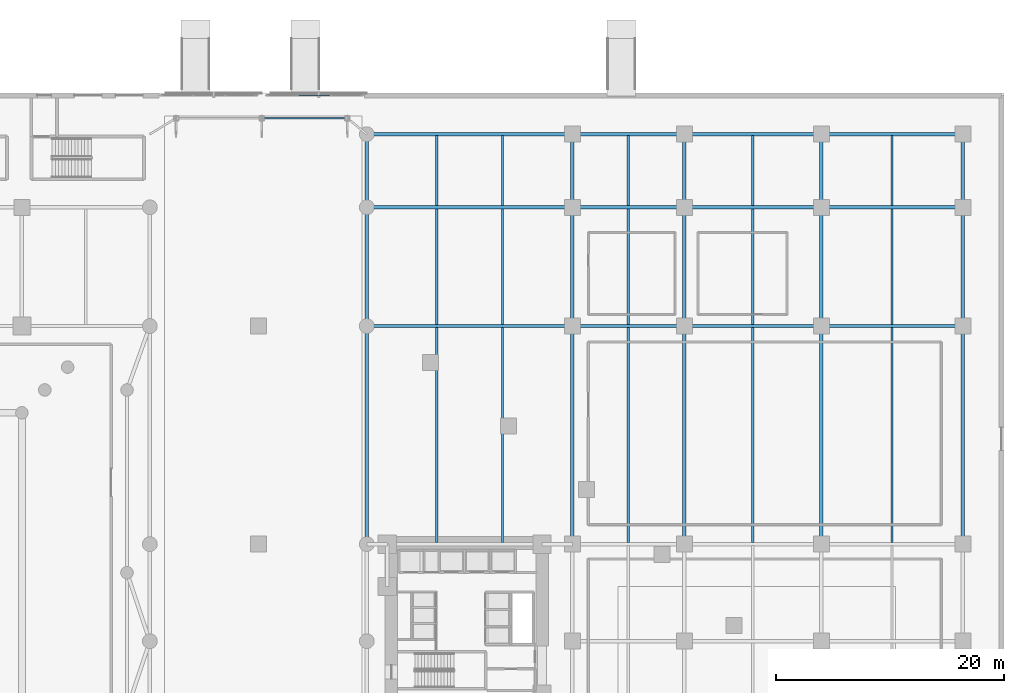
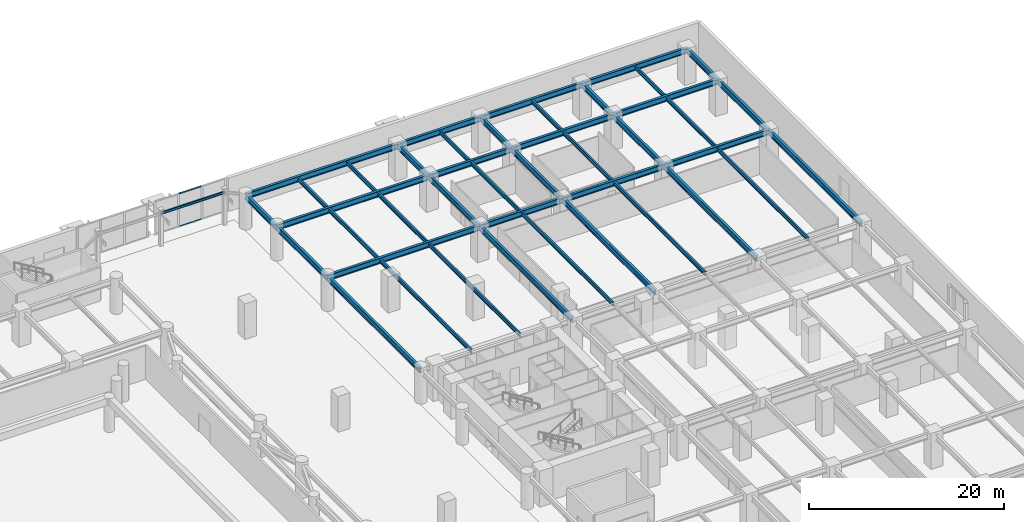
# One storey, part 18 of 42: 43 beams, 2 members, 1 element without a shape of its own.
"""IFC4 building model written with IfcOpenShell, lengths in metres."""

from ifc_helpers import new_model, si_unit, direction, frame, origin, origin_2d, place, context, subcontext, project, spatial, hollow_rectangle, i_section, extrude, material, material_profile, profile_set, type_object, element, aggregate, save


model = new_model("IFC4")

# Units and contexts
model_context = context("Model", 3, precision=1e-05, world=origin(), true_north=direction((0.0, 1.0)))
body_context = subcontext(model_context, "Body", "Model", "MODEL_VIEW")
ifc_project = project(units=[si_unit("LENGTHUNIT", "METRE"), si_unit("AREAUNIT", "SQUARE_METRE"), si_unit("VOLUMEUNIT", "CUBIC_METRE"), si_unit("PLANEANGLEUNIT", "RADIAN"), si_unit("MASSUNIT", "GRAM", prefix="KILO")], contexts=[model_context])

# Site, building, storey
site_placement = place(None, origin())
site = spatial("IfcSite", under=ifc_project, at=site_placement, CompositionType="ELEMENT")
building_placement = place(site_placement, origin())
building = spatial("IfcBuilding", under=site, at=building_placement, Name="Narakoshi Arena Tower", CompositionType="ELEMENT")
storey_placement = place(building_placement, origin())
storey = spatial("IfcBuildingStorey", under=building, at=storey_placement, Name="L00", CompositionType="ELEMENT", Elevation=0.0)

# Beams
ifc_material_1 = material(Name="Structural steel S355J2", Category="steel")
ifc_material_profile_1 = material_profile(ifc_material_1, i_section(OverallWidth=0.14990234375, OverallDepth=0.300048828125, WebThickness=0.007080078125, FlangeThickness=0.0107421875, FilletRadius=0.014892578125, at=origin_2d()), Name="IPE300")
ifc_profile_set_1 = profile_set([ifc_material_profile_1], Name="Structural steel S355J2")
beam_type_1 = type_object("IfcBeamType", Name="BM-CAN-300", PredefinedType="BEAM", material=ifc_profile_set_1)
beam_1_placement = place(storey_placement, frame((61.0, 93.800048828125, 4.030029296875), z_axis=(1.0, 0.0, 0.0), x_axis=(0.0, 1.0, 0.0)))
element("IfcBeam", 1, at=beam_1_placement, inside=storey, type_object=beam_type_1, Name="L00 Concourse Canopy Beam 07", PredefinedType="BEAM", context=body_context, shape_type="SweptSolid", body=[
    extrude(i_section(OverallWidth=0.14990234375, OverallDepth=0.300048828125, WebThickness=0.007080078125, FlangeThickness=0.0107421875, FilletRadius=0.014892578125, at=origin_2d()), origin(), (0.0, 0.0, 1.0), 7.5),
])
ifc_material_profile_2 = material_profile(ifc_material_1, i_section(OverallWidth=0.300048828125, OverallDepth=0.699951171875, WebThickness=0.01708984375, FlangeThickness=0.031982421875, FilletRadius=0.027099609375, at=origin_2d()), Name="HE700B")
ifc_profile_set_2 = profile_set([ifc_material_profile_2], Name="Structural steel S355J2")
beam_type_2 = type_object("IfcBeamType", Name="BM-PRI-700", PredefinedType="BEAM", material=ifc_profile_set_2)
beam_2_placement = place(storey_placement, frame((70.199951171875, 75.60009765625, 3.830078125), z_axis=(1.0, 0.0, 0.0), x_axis=(0.0, 1.0, 0.0)))
element("IfcBeam", 2, at=beam_2_placement, inside=storey, type_object=beam_type_2, Name="L00 Podium Primary X-Girder 039", PredefinedType="BEAM", context=body_context, shape_type="SweptSolid", body=[
    extrude(i_section(OverallWidth=0.300048828125, OverallDepth=0.699951171875, WebThickness=0.01708984375, FlangeThickness=0.031982421875, FilletRadius=0.027099609375, at=origin_2d()), origin(), (0.0, 0.0, 1.0), 18.0),
])
beam_3_placement = place(storey_placement, frame((88.199951171875, 75.60009765625, 3.830078125), z_axis=(1.0, 0.0, 0.0), x_axis=(0.0, 1.0, 0.0)))
element("IfcBeam", 3, at=beam_3_placement, inside=storey, type_object=beam_type_2, Name="L00 Podium Primary X-Girder 040", PredefinedType="BEAM", context=body_context, shape_type="SweptSolid", body=[
    extrude(i_section(OverallWidth=0.300048828125, OverallDepth=0.699951171875, WebThickness=0.01708984375, FlangeThickness=0.031982421875, FilletRadius=0.027099609375, at=origin_2d()), origin(), (0.0, 0.0, 1.0), 9.800048828125),
])
beam_4_placement = place(storey_placement, frame((98.0, 75.60009765625, 3.830078125), z_axis=(1.0, 0.0, 0.0), x_axis=(0.0, 1.0, 0.0)))
element("IfcBeam", 4, at=beam_4_placement, inside=storey, type_object=beam_type_2, Name="L00 Podium Primary X-Girder 041", PredefinedType="BEAM", context=body_context, shape_type="SweptSolid", body=[
    extrude(i_section(OverallWidth=0.300048828125, OverallDepth=0.699951171875, WebThickness=0.01708984375, FlangeThickness=0.031982421875, FilletRadius=0.027099609375, at=origin_2d()), origin(), (0.0, 0.0, 1.0), 12.0),
])
beam_5_placement = place(storey_placement, frame((110.0, 75.60009765625, 3.830078125), z_axis=(1.0, 0.0, 0.0), x_axis=(0.0, 1.0, 0.0)))
element("IfcBeam", 5, at=beam_5_placement, inside=storey, type_object=beam_type_2, Name="L00 Podium Primary X-Girder 042", PredefinedType="BEAM", context=body_context, shape_type="SweptSolid", body=[
    extrude(i_section(OverallWidth=0.300048828125, OverallDepth=0.699951171875, WebThickness=0.01708984375, FlangeThickness=0.031982421875, FilletRadius=0.027099609375, at=origin_2d()), origin(), (0.0, 0.0, 1.0), 12.39990234375),
])
beam_6_placement = place(storey_placement, frame((70.199951171875, 86.0, 3.830078125), z_axis=(1.0, 0.0, 0.0), x_axis=(0.0, 1.0, 0.0)))
element("IfcBeam", 6, at=beam_6_placement, inside=storey, type_object=beam_type_2, Name="L00 Podium Primary X-Girder 047", PredefinedType="BEAM", context=body_context, shape_type="SweptSolid", body=[
    extrude(i_section(OverallWidth=0.300048828125, OverallDepth=0.699951171875, WebThickness=0.01708984375, FlangeThickness=0.031982421875, FilletRadius=0.027099609375, at=origin_2d()), origin(), (0.0, 0.0, 1.0), 18.0),
])
beam_7_placement = place(storey_placement, frame((88.199951171875, 86.0, 3.830078125), z_axis=(1.0, 0.0, 0.0), x_axis=(0.0, 1.0, 0.0)))
element("IfcBeam", 7, at=beam_7_placement, inside=storey, type_object=beam_type_2, Name="L00 Podium Primary X-Girder 048", PredefinedType="BEAM", context=body_context, shape_type="SweptSolid", body=[
    extrude(i_section(OverallWidth=0.300048828125, OverallDepth=0.699951171875, WebThickness=0.01708984375, FlangeThickness=0.031982421875, FilletRadius=0.027099609375, at=origin_2d()), origin(), (0.0, 0.0, 1.0), 9.800048828125),
])
beam_8_placement = place(storey_placement, frame((98.0, 86.0, 3.830078125), z_axis=(1.0, 0.0, 0.0), x_axis=(0.0, 1.0, 0.0)))
element("IfcBeam", 8, at=beam_8_placement, inside=storey, type_object=beam_type_2, Name="L00 Podium Primary X-Girder 049", PredefinedType="BEAM", context=body_context, shape_type="SweptSolid", body=[
    extrude(i_section(OverallWidth=0.300048828125, OverallDepth=0.699951171875, WebThickness=0.01708984375, FlangeThickness=0.031982421875, FilletRadius=0.027099609375, at=origin_2d()), origin(), (0.0, 0.0, 1.0), 12.0),
])
beam_9_placement = place(storey_placement, frame((110.0, 86.0, 3.830078125), z_axis=(1.0, 0.0, 0.0), x_axis=(0.0, 1.0, 0.0)))
element("IfcBeam", 9, at=beam_9_placement, inside=storey, type_object=beam_type_2, Name="L00 Podium Primary X-Girder 050", PredefinedType="BEAM", context=body_context, shape_type="SweptSolid", body=[
    extrude(i_section(OverallWidth=0.300048828125, OverallDepth=0.699951171875, WebThickness=0.01708984375, FlangeThickness=0.031982421875, FilletRadius=0.027099609375, at=origin_2d()), origin(), (0.0, 0.0, 1.0), 12.39990234375),
])
beam_10_placement = place(storey_placement, frame((70.199951171875, 92.39990234375, 3.830078125), z_axis=(1.0, 0.0, 0.0), x_axis=(0.0, 1.0, 0.0)))
element("IfcBeam", 10, at=beam_10_placement, inside=storey, type_object=beam_type_2, Name="L00 Podium Primary X-Girder 051", PredefinedType="BEAM", context=body_context, shape_type="SweptSolid", body=[
    extrude(i_section(OverallWidth=0.300048828125, OverallDepth=0.699951171875, WebThickness=0.01708984375, FlangeThickness=0.031982421875, FilletRadius=0.027099609375, at=origin_2d()), origin(), (0.0, 0.0, 1.0), 18.0),
])
beam_11_placement = place(storey_placement, frame((88.199951171875, 92.39990234375, 3.830078125), z_axis=(1.0, 0.0, 0.0), x_axis=(0.0, 1.0, 0.0)))
element("IfcBeam", 11, at=beam_11_placement, inside=storey, type_object=beam_type_2, Name="L00 Podium Primary X-Girder 052", PredefinedType="BEAM", context=body_context, shape_type="SweptSolid", body=[
    extrude(i_section(OverallWidth=0.300048828125, OverallDepth=0.699951171875, WebThickness=0.01708984375, FlangeThickness=0.031982421875, FilletRadius=0.027099609375, at=origin_2d()), origin(), (0.0, 0.0, 1.0), 9.800048828125),
])
beam_12_placement = place(storey_placement, frame((98.0, 92.39990234375, 3.830078125), z_axis=(1.0, 0.0, 0.0), x_axis=(0.0, 1.0, 0.0)))
element("IfcBeam", 12, at=beam_12_placement, inside=storey, type_object=beam_type_2, Name="L00 Podium Primary X-Girder 053", PredefinedType="BEAM", context=body_context, shape_type="SweptSolid", body=[
    extrude(i_section(OverallWidth=0.300048828125, OverallDepth=0.699951171875, WebThickness=0.01708984375, FlangeThickness=0.031982421875, FilletRadius=0.027099609375, at=origin_2d()), origin(), (0.0, 0.0, 1.0), 12.0),
])
beam_13_placement = place(storey_placement, frame((110.0, 92.39990234375, 3.830078125), z_axis=(1.0, 0.0, 0.0), x_axis=(0.0, 1.0, 0.0)))
element("IfcBeam", 13, at=beam_13_placement, inside=storey, type_object=beam_type_2, Name="L00 Podium Primary X-Girder 054", PredefinedType="BEAM", context=body_context, shape_type="SweptSolid", body=[
    extrude(i_section(OverallWidth=0.300048828125, OverallDepth=0.699951171875, WebThickness=0.01708984375, FlangeThickness=0.031982421875, FilletRadius=0.027099609375, at=origin_2d()), origin(), (0.0, 0.0, 1.0), 12.39990234375),
])
beam_14_placement = place(storey_placement, frame((70.199951171875, 56.5, 3.830078125), z_axis=(0.0, 1.0, 0.0), x_axis=(-1.0, 0.0, 0.0)))
element("IfcBeam", 14, at=beam_14_placement, inside=storey, type_object=beam_type_2, Name="L00 Podium Primary Y-Girder 080", PredefinedType="BEAM", context=body_context, shape_type="SweptSolid", body=[
    extrude(i_section(OverallWidth=0.300048828125, OverallDepth=0.699951171875, WebThickness=0.01708984375, FlangeThickness=0.031982421875, FilletRadius=0.027099609375, at=origin_2d()), origin(), (0.0, 0.0, 1.0), 19.10009765625),
])
beam_15_placement = place(storey_placement, frame((70.199951171875, 75.60009765625, 3.830078125), z_axis=(0.0, 1.0, 0.0), x_axis=(-1.0, 0.0, 0.0)))
element("IfcBeam", 15, at=beam_15_placement, inside=storey, type_object=beam_type_2, Name="L00 Podium Primary Y-Girder 081", PredefinedType="BEAM", context=body_context, shape_type="SweptSolid", body=[
    extrude(i_section(OverallWidth=0.300048828125, OverallDepth=0.699951171875, WebThickness=0.01708984375, FlangeThickness=0.031982421875, FilletRadius=0.027099609375, at=origin_2d()), origin(), (0.0, 0.0, 1.0), 10.39990234375),
])
beam_16_placement = place(storey_placement, frame((70.199951171875, 86.0, 3.830078125), z_axis=(0.0, 1.0, 0.0), x_axis=(-1.0, 0.0, 0.0)))
element("IfcBeam", 16, at=beam_16_placement, inside=storey, type_object=beam_type_2, Name="L00 Podium Primary Y-Girder 082", PredefinedType="BEAM", context=body_context, shape_type="SweptSolid", body=[
    extrude(i_section(OverallWidth=0.300048828125, OverallDepth=0.699951171875, WebThickness=0.01708984375, FlangeThickness=0.031982421875, FilletRadius=0.027099609375, at=origin_2d()), origin(), (0.0, 0.0, 1.0), 6.39990234375),
])
beam_17_placement = place(storey_placement, frame((88.199951171875, 56.5, 3.830078125), z_axis=(0.0, 1.0, 0.0), x_axis=(-1.0, 0.0, 0.0)))
element("IfcBeam", 17, at=beam_17_placement, inside=storey, type_object=beam_type_2, Name="L00 Podium Primary Y-Girder 089", PredefinedType="BEAM", context=body_context, shape_type="SweptSolid", body=[
    extrude(i_section(OverallWidth=0.300048828125, OverallDepth=0.699951171875, WebThickness=0.01708984375, FlangeThickness=0.031982421875, FilletRadius=0.027099609375, at=origin_2d()), origin(), (0.0, 0.0, 1.0), 19.10009765625),
])
beam_18_placement = place(storey_placement, frame((88.199951171875, 75.60009765625, 3.830078125), z_axis=(0.0, 1.0, 0.0), x_axis=(-1.0, 0.0, 0.0)))
element("IfcBeam", 18, at=beam_18_placement, inside=storey, type_object=beam_type_2, Name="L00 Podium Primary Y-Girder 090", PredefinedType="BEAM", context=body_context, shape_type="SweptSolid", body=[
    extrude(i_section(OverallWidth=0.300048828125, OverallDepth=0.699951171875, WebThickness=0.01708984375, FlangeThickness=0.031982421875, FilletRadius=0.027099609375, at=origin_2d()), origin(), (0.0, 0.0, 1.0), 10.39990234375),
])
beam_19_placement = place(storey_placement, frame((88.199951171875, 86.0, 3.830078125), z_axis=(0.0, 1.0, 0.0), x_axis=(-1.0, 0.0, 0.0)))
element("IfcBeam", 19, at=beam_19_placement, inside=storey, type_object=beam_type_2, Name="L00 Podium Primary Y-Girder 091", PredefinedType="BEAM", context=body_context, shape_type="SweptSolid", body=[
    extrude(i_section(OverallWidth=0.300048828125, OverallDepth=0.699951171875, WebThickness=0.01708984375, FlangeThickness=0.031982421875, FilletRadius=0.027099609375, at=origin_2d()), origin(), (0.0, 0.0, 1.0), 6.39990234375),
])
beam_20_placement = place(storey_placement, frame((98.0, 56.5, 3.830078125), z_axis=(0.0, 1.0, 0.0), x_axis=(-1.0, 0.0, 0.0)))
element("IfcBeam", 20, at=beam_20_placement, inside=storey, type_object=beam_type_2, Name="L00 Podium Primary Y-Girder 097", PredefinedType="BEAM", context=body_context, shape_type="SweptSolid", body=[
    extrude(i_section(OverallWidth=0.300048828125, OverallDepth=0.699951171875, WebThickness=0.01708984375, FlangeThickness=0.031982421875, FilletRadius=0.027099609375, at=origin_2d()), origin(), (0.0, 0.0, 1.0), 19.10009765625),
])
beam_21_placement = place(storey_placement, frame((98.0, 75.60009765625, 3.830078125), z_axis=(0.0, 1.0, 0.0), x_axis=(-1.0, 0.0, 0.0)))
element("IfcBeam", 21, at=beam_21_placement, inside=storey, type_object=beam_type_2, Name="L00 Podium Primary Y-Girder 098", PredefinedType="BEAM", context=body_context, shape_type="SweptSolid", body=[
    extrude(i_section(OverallWidth=0.300048828125, OverallDepth=0.699951171875, WebThickness=0.01708984375, FlangeThickness=0.031982421875, FilletRadius=0.027099609375, at=origin_2d()), origin(), (0.0, 0.0, 1.0), 10.39990234375),
])
beam_22_placement = place(storey_placement, frame((98.0, 86.0, 3.830078125), z_axis=(0.0, 1.0, 0.0), x_axis=(-1.0, 0.0, 0.0)))
element("IfcBeam", 22, at=beam_22_placement, inside=storey, type_object=beam_type_2, Name="L00 Podium Primary Y-Girder 099", PredefinedType="BEAM", context=body_context, shape_type="SweptSolid", body=[
    extrude(i_section(OverallWidth=0.300048828125, OverallDepth=0.699951171875, WebThickness=0.01708984375, FlangeThickness=0.031982421875, FilletRadius=0.027099609375, at=origin_2d()), origin(), (0.0, 0.0, 1.0), 6.39990234375),
])
beam_23_placement = place(storey_placement, frame((110.0, 56.5, 3.830078125), z_axis=(0.0, 1.0, 0.0), x_axis=(-1.0, 0.0, 0.0)))
element("IfcBeam", 23, at=beam_23_placement, inside=storey, type_object=beam_type_2, Name="L00 Podium Primary Y-Girder 105", PredefinedType="BEAM", context=body_context, shape_type="SweptSolid", body=[
    extrude(i_section(OverallWidth=0.300048828125, OverallDepth=0.699951171875, WebThickness=0.01708984375, FlangeThickness=0.031982421875, FilletRadius=0.027099609375, at=origin_2d()), origin(), (0.0, 0.0, 1.0), 19.10009765625),
])
beam_24_placement = place(storey_placement, frame((110.0, 75.60009765625, 3.830078125), z_axis=(0.0, 1.0, 0.0), x_axis=(-1.0, 0.0, 0.0)))
element("IfcBeam", 24, at=beam_24_placement, inside=storey, type_object=beam_type_2, Name="L00 Podium Primary Y-Girder 106", PredefinedType="BEAM", context=body_context, shape_type="SweptSolid", body=[
    extrude(i_section(OverallWidth=0.300048828125, OverallDepth=0.699951171875, WebThickness=0.01708984375, FlangeThickness=0.031982421875, FilletRadius=0.027099609375, at=origin_2d()), origin(), (0.0, 0.0, 1.0), 10.39990234375),
])
beam_25_placement = place(storey_placement, frame((110.0, 86.0, 3.830078125), z_axis=(0.0, 1.0, 0.0), x_axis=(-1.0, 0.0, 0.0)))
element("IfcBeam", 25, at=beam_25_placement, inside=storey, type_object=beam_type_2, Name="L00 Podium Primary Y-Girder 107", PredefinedType="BEAM", context=body_context, shape_type="SweptSolid", body=[
    extrude(i_section(OverallWidth=0.300048828125, OverallDepth=0.699951171875, WebThickness=0.01708984375, FlangeThickness=0.031982421875, FilletRadius=0.027099609375, at=origin_2d()), origin(), (0.0, 0.0, 1.0), 6.39990234375),
])
beam_26_placement = place(storey_placement, frame((122.39990234375, 56.5, 3.830078125), z_axis=(0.0, 1.0, 0.0), x_axis=(-1.0, 0.0, 0.0)))
element("IfcBeam", 26, at=beam_26_placement, inside=storey, type_object=beam_type_2, Name="L00 Podium Primary Y-Girder 113", PredefinedType="BEAM", context=body_context, shape_type="SweptSolid", body=[
    extrude(i_section(OverallWidth=0.300048828125, OverallDepth=0.699951171875, WebThickness=0.01708984375, FlangeThickness=0.031982421875, FilletRadius=0.027099609375, at=origin_2d()), origin(), (0.0, 0.0, 1.0), 19.10009765625),
])
beam_27_placement = place(storey_placement, frame((122.39990234375, 75.60009765625, 3.830078125), z_axis=(0.0, 1.0, 0.0), x_axis=(-1.0, 0.0, 0.0)))
element("IfcBeam", 27, at=beam_27_placement, inside=storey, type_object=beam_type_2, Name="L00 Podium Primary Y-Girder 114", PredefinedType="BEAM", context=body_context, shape_type="SweptSolid", body=[
    extrude(i_section(OverallWidth=0.300048828125, OverallDepth=0.699951171875, WebThickness=0.01708984375, FlangeThickness=0.031982421875, FilletRadius=0.027099609375, at=origin_2d()), origin(), (0.0, 0.0, 1.0), 10.39990234375),
])
beam_28_placement = place(storey_placement, frame((122.39990234375, 86.0, 3.830078125), z_axis=(0.0, 1.0, 0.0), x_axis=(-1.0, 0.0, 0.0)))
element("IfcBeam", 28, at=beam_28_placement, inside=storey, type_object=beam_type_2, Name="L00 Podium Primary Y-Girder 115", PredefinedType="BEAM", context=body_context, shape_type="SweptSolid", body=[
    extrude(i_section(OverallWidth=0.300048828125, OverallDepth=0.699951171875, WebThickness=0.01708984375, FlangeThickness=0.031982421875, FilletRadius=0.027099609375, at=origin_2d()), origin(), (0.0, 0.0, 1.0), 6.39990234375),
])
ifc_material_profile_3 = material_profile(ifc_material_1, i_section(OverallWidth=0.199951171875, OverallDepth=0.5, WebThickness=0.01025390625, FlangeThickness=0.01611328125, FilletRadius=0.02099609375, at=origin_2d()), Name="IPE500")
ifc_profile_set_3 = profile_set([ifc_material_profile_3], Name="Structural steel S355J2")
beam_type_3 = type_object("IfcBeamType", Name="BM-SEC-500", PredefinedType="JOIST", material=ifc_profile_set_3)
beam_29_placement = place(storey_placement, frame((76.320068359375, 56.635009765625, 3.929931640625), z_axis=(0.0, 1.0, 0.0), x_axis=(-1.0, 0.0, 0.0)))
element("IfcBeam", 29, at=beam_29_placement, inside=storey, type_object=beam_type_3, Name="L00 Podium Composite Floor Joist 011", PredefinedType="JOIST", context=body_context, shape_type="SweptSolid", body=[
    extrude(i_section(OverallWidth=0.199951171875, OverallDepth=0.5, WebThickness=0.01025390625, FlangeThickness=0.01611328125, FilletRadius=0.02099609375, at=origin_2d()), origin(), (0.0, 0.0, 1.0), 18.830078125),
])
beam_30_placement = place(storey_placement, frame((76.320068359375, 75.735107421875, 3.929931640625), z_axis=(0.0, 1.0, 0.0), x_axis=(-1.0, 0.0, 0.0)))
element("IfcBeam", 30, at=beam_30_placement, inside=storey, type_object=beam_type_3, Name="L00 Podium Composite Floor Joist 012", PredefinedType="JOIST", context=body_context, shape_type="SweptSolid", body=[
    extrude(i_section(OverallWidth=0.199951171875, OverallDepth=0.5, WebThickness=0.01025390625, FlangeThickness=0.01611328125, FilletRadius=0.02099609375, at=origin_2d()), origin(), (0.0, 0.0, 1.0), 10.1298828125),
])
beam_31_placement = place(storey_placement, frame((76.320068359375, 86.135009765625, 3.929931640625), z_axis=(0.0, 1.0, 0.0), x_axis=(-1.0, 0.0, 0.0)))
element("IfcBeam", 31, at=beam_31_placement, inside=storey, type_object=beam_type_3, Name="L00 Podium Composite Floor Joist 013", PredefinedType="JOIST", context=body_context, shape_type="SweptSolid", body=[
    extrude(i_section(OverallWidth=0.199951171875, OverallDepth=0.5, WebThickness=0.01025390625, FlangeThickness=0.01611328125, FilletRadius=0.02099609375, at=origin_2d()), origin(), (0.0, 0.0, 1.0), 6.1298828125),
])
beam_32_placement = place(storey_placement, frame((82.080078125, 56.635009765625, 3.929931640625), z_axis=(0.0, 1.0, 0.0), x_axis=(-1.0, 0.0, 0.0)))
element("IfcBeam", 32, at=beam_32_placement, inside=storey, type_object=beam_type_3, Name="L00 Podium Composite Floor Joist 016", PredefinedType="JOIST", context=body_context, shape_type="SweptSolid", body=[
    extrude(i_section(OverallWidth=0.199951171875, OverallDepth=0.5, WebThickness=0.01025390625, FlangeThickness=0.01611328125, FilletRadius=0.02099609375, at=origin_2d()), origin(), (0.0, 0.0, 1.0), 18.830078125),
])
beam_33_placement = place(storey_placement, frame((82.080078125, 75.735107421875, 3.929931640625), z_axis=(0.0, 1.0, 0.0), x_axis=(-1.0, 0.0, 0.0)))
element("IfcBeam", 33, at=beam_33_placement, inside=storey, type_object=beam_type_3, Name="L00 Podium Composite Floor Joist 017", PredefinedType="JOIST", context=body_context, shape_type="SweptSolid", body=[
    extrude(i_section(OverallWidth=0.199951171875, OverallDepth=0.5, WebThickness=0.01025390625, FlangeThickness=0.01611328125, FilletRadius=0.02099609375, at=origin_2d()), origin(), (0.0, 0.0, 1.0), 10.1298828125),
])
beam_34_placement = place(storey_placement, frame((82.080078125, 86.135009765625, 3.929931640625), z_axis=(0.0, 1.0, 0.0), x_axis=(-1.0, 0.0, 0.0)))
element("IfcBeam", 34, at=beam_34_placement, inside=storey, type_object=beam_type_3, Name="L00 Podium Composite Floor Joist 018", PredefinedType="JOIST", context=body_context, shape_type="SweptSolid", body=[
    extrude(i_section(OverallWidth=0.199951171875, OverallDepth=0.5, WebThickness=0.01025390625, FlangeThickness=0.01611328125, FilletRadius=0.02099609375, at=origin_2d()), origin(), (0.0, 0.0, 1.0), 6.1298828125),
])
beam_35_placement = place(storey_placement, frame((93.10009765625, 56.635009765625, 3.929931640625), z_axis=(0.0, 1.0, 0.0), x_axis=(-1.0, 0.0, 0.0)))
element("IfcBeam", 35, at=beam_35_placement, inside=storey, type_object=beam_type_3, Name="L00 Podium Composite Floor Joist 024", PredefinedType="JOIST", context=body_context, shape_type="SweptSolid", body=[
    extrude(i_section(OverallWidth=0.199951171875, OverallDepth=0.5, WebThickness=0.01025390625, FlangeThickness=0.01611328125, FilletRadius=0.02099609375, at=origin_2d()), origin(), (0.0, 0.0, 1.0), 18.830078125),
])
beam_36_placement = place(storey_placement, frame((93.10009765625, 75.735107421875, 3.929931640625), z_axis=(0.0, 1.0, 0.0), x_axis=(-1.0, 0.0, 0.0)))
element("IfcBeam", 36, at=beam_36_placement, inside=storey, type_object=beam_type_3, Name="L00 Podium Composite Floor Joist 025", PredefinedType="JOIST", context=body_context, shape_type="SweptSolid", body=[
    extrude(i_section(OverallWidth=0.199951171875, OverallDepth=0.5, WebThickness=0.01025390625, FlangeThickness=0.01611328125, FilletRadius=0.02099609375, at=origin_2d()), origin(), (0.0, 0.0, 1.0), 10.1298828125),
])
beam_37_placement = place(storey_placement, frame((93.10009765625, 86.135009765625, 3.929931640625), z_axis=(0.0, 1.0, 0.0), x_axis=(-1.0, 0.0, 0.0)))
element("IfcBeam", 37, at=beam_37_placement, inside=storey, type_object=beam_type_3, Name="L00 Podium Composite Floor Joist 026", PredefinedType="JOIST", context=body_context, shape_type="SweptSolid", body=[
    extrude(i_section(OverallWidth=0.199951171875, OverallDepth=0.5, WebThickness=0.01025390625, FlangeThickness=0.01611328125, FilletRadius=0.02099609375, at=origin_2d()), origin(), (0.0, 0.0, 1.0), 6.1298828125),
])
beam_38_placement = place(storey_placement, frame((104.0, 56.635009765625, 3.929931640625), z_axis=(0.0, 1.0, 0.0), x_axis=(-1.0, 0.0, 0.0)))
element("IfcBeam", 38, at=beam_38_placement, inside=storey, type_object=beam_type_3, Name="L00 Podium Composite Floor Joist 032", PredefinedType="JOIST", context=body_context, shape_type="SweptSolid", body=[
    extrude(i_section(OverallWidth=0.199951171875, OverallDepth=0.5, WebThickness=0.01025390625, FlangeThickness=0.01611328125, FilletRadius=0.02099609375, at=origin_2d()), origin(), (0.0, 0.0, 1.0), 18.830078125),
])
beam_39_placement = place(storey_placement, frame((104.0, 75.735107421875, 3.929931640625), z_axis=(0.0, 1.0, 0.0), x_axis=(-1.0, 0.0, 0.0)))
element("IfcBeam", 39, at=beam_39_placement, inside=storey, type_object=beam_type_3, Name="L00 Podium Composite Floor Joist 033", PredefinedType="JOIST", context=body_context, shape_type="SweptSolid", body=[
    extrude(i_section(OverallWidth=0.199951171875, OverallDepth=0.5, WebThickness=0.01025390625, FlangeThickness=0.01611328125, FilletRadius=0.02099609375, at=origin_2d()), origin(), (0.0, 0.0, 1.0), 10.1298828125),
])
beam_40_placement = place(storey_placement, frame((104.0, 86.135009765625, 3.929931640625), z_axis=(0.0, 1.0, 0.0), x_axis=(-1.0, 0.0, 0.0)))
element("IfcBeam", 40, at=beam_40_placement, inside=storey, type_object=beam_type_3, Name="L00 Podium Composite Floor Joist 034", PredefinedType="JOIST", context=body_context, shape_type="SweptSolid", body=[
    extrude(i_section(OverallWidth=0.199951171875, OverallDepth=0.5, WebThickness=0.01025390625, FlangeThickness=0.01611328125, FilletRadius=0.02099609375, at=origin_2d()), origin(), (0.0, 0.0, 1.0), 6.1298828125),
])
beam_41_placement = place(storey_placement, frame((116.199951171875, 56.635009765625, 3.929931640625), z_axis=(0.0, 1.0, 0.0), x_axis=(-1.0, 0.0, 0.0)))
element("IfcBeam", 41, at=beam_41_placement, inside=storey, type_object=beam_type_3, Name="L00 Podium Composite Floor Joist 040", PredefinedType="JOIST", context=body_context, shape_type="SweptSolid", body=[
    extrude(i_section(OverallWidth=0.199951171875, OverallDepth=0.5, WebThickness=0.01025390625, FlangeThickness=0.01611328125, FilletRadius=0.02099609375, at=origin_2d()), origin(), (0.0, 0.0, 1.0), 18.830078125),
])
beam_42_placement = place(storey_placement, frame((116.199951171875, 75.735107421875, 3.929931640625), z_axis=(0.0, 1.0, 0.0), x_axis=(-1.0, 0.0, 0.0)))
element("IfcBeam", 42, at=beam_42_placement, inside=storey, type_object=beam_type_3, Name="L00 Podium Composite Floor Joist 041", PredefinedType="JOIST", context=body_context, shape_type="SweptSolid", body=[
    extrude(i_section(OverallWidth=0.199951171875, OverallDepth=0.5, WebThickness=0.01025390625, FlangeThickness=0.01611328125, FilletRadius=0.02099609375, at=origin_2d()), origin(), (0.0, 0.0, 1.0), 10.1298828125),
])
beam_43_placement = place(storey_placement, frame((116.199951171875, 86.135009765625, 3.929931640625), z_axis=(0.0, 1.0, 0.0), x_axis=(-1.0, 0.0, 0.0)))
element("IfcBeam", 43, at=beam_43_placement, inside=storey, type_object=beam_type_3, Name="L00 Podium Composite Floor Joist 042", PredefinedType="JOIST", context=body_context, shape_type="SweptSolid", body=[
    extrude(i_section(OverallWidth=0.199951171875, OverallDepth=0.5, WebThickness=0.01025390625, FlangeThickness=0.01611328125, FilletRadius=0.02099609375, at=origin_2d()), origin(), (0.0, 0.0, 1.0), 6.1298828125),
])

# Curtain wall, members
ifc_material_2 = material(Name="Anodised bronze aluminium 6063-T6", Category="aluminium")
curtain_wall_type = type_object("IfcCurtainWallType", Name="CW-POD-CONC", PredefinedType="NOTDEFINED", material=ifc_material_2)
curtain_wall_placement = place(storey_placement, origin())
curtain_wall = element("IfcCurtainWall", 44, at=curtain_wall_placement, inside=storey, type_object=curtain_wall_type, Name="L00 Street Concourse Curtain Wall CN1", PredefinedType="NOTDEFINED")
ifc_material_profile_4 = material_profile(ifc_material_2, hollow_rectangle(XDim=0.070068359375, YDim=0.159912109375, WallThickness=0.00390625, OuterFilletRadius=0.0048828125, at=origin_2d()), Name="TRN160x70x4")
ifc_profile_set_4 = profile_set([ifc_material_profile_4], Name="Anodised bronze aluminium 6063-T6")
member_type = type_object("IfcMemberType", Name="MEM-TRN-160", PredefinedType="USERDEFINED", material=ifc_profile_set_4)
member_1_placement = place(storey_placement, frame((66.9599609375, 95.7900390625, 0.034912109375), z_axis=(-1.0, 0.0, 0.0), x_axis=(0.0, -1.0, 0.0)))
member_1 = element("IfcMember", 45, at=member_1_placement, type_object=member_type, Name="CW-04 transom 2.1", ObjectType="TRANSOM", PredefinedType="USERDEFINED", context=body_context, shape_type="SweptSolid", body=[
    extrude(hollow_rectangle(XDim=0.070068359375, YDim=0.159912109375, WallThickness=0.00390625, OuterFilletRadius=0.0048828125, at=origin_2d()), origin(), (0.0, 0.0, 1.0), 2.719970703125),
])
member_2_placement = place(storey_placement, frame((66.9599609375, 95.7900390625, 4.14501953125), z_axis=(-1.0, 0.0, 0.0), x_axis=(0.0, -1.0, 0.0)))
member_2 = element("IfcMember", 46, at=member_2_placement, type_object=member_type, Name="CW-04 transom 2.2", ObjectType="TRANSOM", PredefinedType="USERDEFINED", context=body_context, shape_type="SweptSolid", body=[
    extrude(hollow_rectangle(XDim=0.070068359375, YDim=0.159912109375, WallThickness=0.00390625, OuterFilletRadius=0.0048828125, at=origin_2d()), origin(), (0.0, 0.0, 1.0), 2.719970703125),
])
aggregate(curtain_wall, [member_1, member_2])

save(model, "model.ifc")
